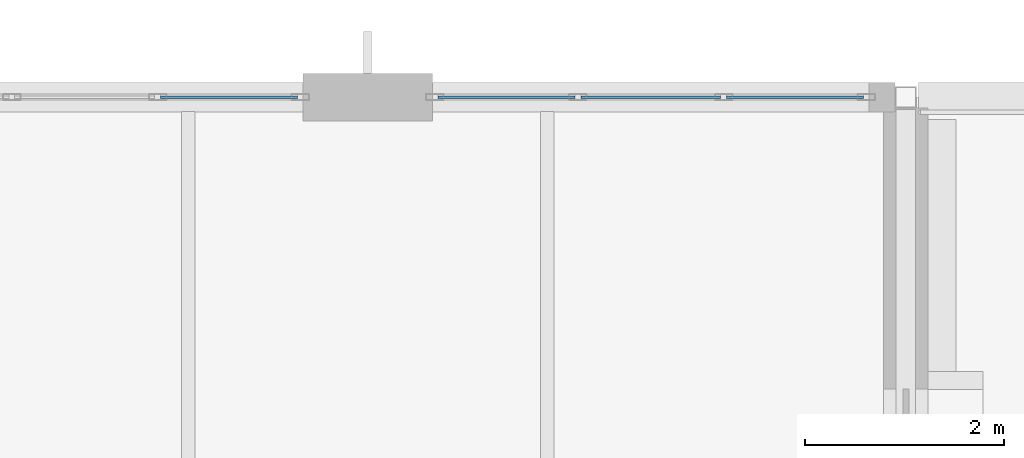
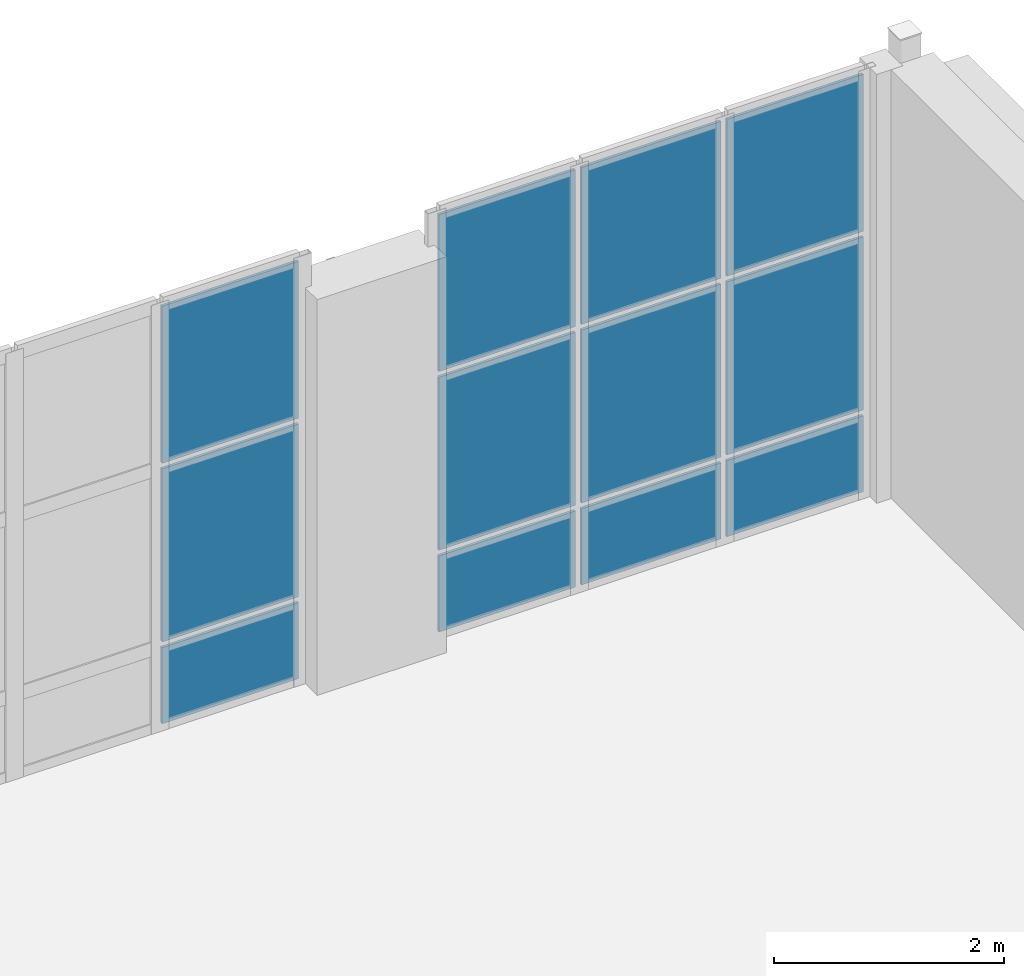
# One storey, part 65 of 86: 12 plates, 2 elements without a shape of their own.
"""IFC4 building model written with IfcOpenShell, lengths in metres."""

from ifc_helpers import new_model, si_unit, direction, frame, origin, origin_2d, place, context, subcontext, project, spatial, rectangle, extrude, material, layer, layer_set, type_object, element, aggregate, save


model = new_model("IFC4")

# Units and contexts
model_context = context("Model", 3, precision=1e-05, world=origin(), true_north=direction((0.0, 1.0)))
body_context = subcontext(model_context, "Body", "Model", "MODEL_VIEW")
ifc_project = project(units=[si_unit("LENGTHUNIT", "METRE"), si_unit("AREAUNIT", "SQUARE_METRE"), si_unit("VOLUMEUNIT", "CUBIC_METRE"), si_unit("PLANEANGLEUNIT", "RADIAN"), si_unit("MASSUNIT", "GRAM", prefix="KILO")], contexts=[model_context])

# Site, building, storey
site_placement = place(None, origin())
site = spatial("IfcSite", under=ifc_project, at=site_placement, CompositionType="ELEMENT")
building_placement = place(site_placement, origin())
building = spatial("IfcBuilding", under=site, at=building_placement, Name="Tasgan Crest Museum", CompositionType="ELEMENT")
storey_placement = place(building_placement, frame((0.0, 0.0, 24.0)))
storey = spatial("IfcBuildingStorey", under=building, at=storey_placement, Name="L04", CompositionType="ELEMENT", Elevation=24.0)

# Curtain wall, plates
ifc_material_1 = material(Name="Triple-Glazed Aluminium Curtain Wall", Category="aluminium")
ifc_layer_1 = layer(ifc_material_1, 0.179931640625, Name="CW-GAL-X-48")
ifc_layer_set_1 = layer_set([ifc_layer_1], Name="Triple-Glazed Aluminium Curtain Wall")
curtain_wall_type = type_object("IfcCurtainWallType", Name="CW-GAL-X-48", PredefinedType="NOTDEFINED", material=ifc_layer_set_1)
curtain_wall_1_placement = place(storey_placement, origin())
curtain_wall_1 = element("IfcCurtainWall", 1, at=curtain_wall_1_placement, inside=storey, type_object=curtain_wall_type, Name="Curtain wall L04 159", PredefinedType="NOTDEFINED")
ifc_material_2 = material(Name="Insulated Spandrel Glass", Category="glass")
ifc_layer_2 = layer(ifc_material_2, 0.052001953125, Name="CW-PANEL-SPANDREL")
ifc_layer_set_2 = layer_set([ifc_layer_2], Name="Insulated Spandrel Glass")
plate_type_1 = type_object("IfcPlateType", Name="CW-PANEL-SPANDREL", PredefinedType="CURTAIN_PANEL", material=ifc_layer_set_2)
plate_1_placement = place(storey_placement, frame((85.288330078125, 112.0, 0.06005859375), z_axis=(0.0, 0.0, 1.0), x_axis=(-1.0, 0.0, 0.0)))
plate_1 = element("IfcPlate", 2, at=plate_1_placement, type_object=plate_type_1, Name="CW13 panel 1.1", PredefinedType="CURTAIN_PANEL", context=body_context, shape_type="SweptSolid", body=[
    extrude(rectangle(XDim=1.373291015625, YDim=0.028076171875, at=origin_2d()), origin(), (0.0, 0.0, 1.0), 0.81005859375),
])
plate_2_placement = place(storey_placement, frame((83.840087890625, 112.0, 0.06005859375), z_axis=(0.0, 0.0, 1.0), x_axis=(-1.0, 0.0, 0.0)))
plate_2 = element("IfcPlate", 3, at=plate_2_placement, type_object=plate_type_1, Name="CW13 panel 2.1", PredefinedType="CURTAIN_PANEL", context=body_context, shape_type="SweptSolid", body=[
    extrude(rectangle(XDim=1.4033203125, YDim=0.028076171875, at=origin_2d()), origin(), (0.0, 0.0, 1.0), 0.81005859375),
])
plate_3_placement = place(storey_placement, frame((82.3916015625, 112.0, 0.06005859375), z_axis=(0.0, 0.0, 1.0), x_axis=(-1.0, 0.0, 0.0)))
plate_3 = element("IfcPlate", 4, at=plate_3_placement, type_object=plate_type_1, Name="CW13 panel 3.1", PredefinedType="CURTAIN_PANEL", context=body_context, shape_type="SweptSolid", body=[
    extrude(rectangle(XDim=1.373291015625, YDim=0.028076171875, at=origin_2d()), origin(), (0.0, 0.0, 1.0), 0.81005859375),
])

# Curtain wall, plate
curtain_wall_2_placement = place(storey_placement, origin())
curtain_wall_2 = element("IfcCurtainWall", 5, at=curtain_wall_2_placement, inside=storey, type_object=curtain_wall_type, Name="Curtain wall L04 160", PredefinedType="NOTDEFINED")
plate_4_placement = place(storey_placement, frame((79.6083984375, 112.0, 0.06005859375), z_axis=(0.0, 0.0, 1.0), x_axis=(-1.0, 0.0, 0.0)))
plate_4 = element("IfcPlate", 6, at=plate_4_placement, type_object=plate_type_1, Name="CW13 panel 1.1", PredefinedType="CURTAIN_PANEL", context=body_context, shape_type="SweptSolid", body=[
    extrude(rectangle(XDim=1.373291015625, YDim=0.028076171875, at=origin_2d()), origin(), (0.0, 0.0, 1.0), 0.81005859375),
])

# Plate
ifc_material_3 = material(Name="Low-E Triple Glazing", Category="glass")
ifc_layer_3 = layer(ifc_material_3, 0.0439453125, Name="CW-PANEL-TRIPLE")
ifc_layer_set_3 = layer_set([ifc_layer_3], Name="Low-E Triple Glazing")
plate_type_2 = type_object("IfcPlateType", Name="CW-PANEL-TRIPLE", PredefinedType="CURTAIN_PANEL", material=ifc_layer_set_3)
plate_5_placement = place(storey_placement, frame((85.288330078125, 112.0, 0.93017578125), z_axis=(0.0, 0.0, 1.0), x_axis=(-1.0, 0.0, 0.0)))
plate_5 = element("IfcPlate", 7, at=plate_5_placement, type_object=plate_type_2, Name="CW13 panel 1.2", PredefinedType="CURTAIN_PANEL", context=body_context, shape_type="SweptSolid", body=[
    extrude(rectangle(XDim=1.373291015625, YDim=0.028076171875, at=origin_2d()), origin(), (0.0, 0.0, 1.0), 1.840087890625),
])

plate_6_placement = place(storey_placement, frame((85.288330078125, 112.0, 2.830078125), z_axis=(0.0, 0.0, 1.0), x_axis=(-1.0, 0.0, 0.0)))
plate_6 = element("IfcPlate", 8, at=plate_6_placement, type_object=plate_type_2, Name="CW13 panel 1.3", PredefinedType="CURTAIN_PANEL", context=body_context, shape_type="SweptSolid", body=[
    extrude(rectangle(XDim=1.373291015625, YDim=0.028076171875, at=origin_2d()), origin(), (0.0, 0.0, 1.0), 1.669921875),
])

plate_7_placement = place(storey_placement, frame((83.840087890625, 112.0, 0.93017578125), z_axis=(0.0, 0.0, 1.0), x_axis=(-1.0, 0.0, 0.0)))
plate_7 = element("IfcPlate", 9, at=plate_7_placement, type_object=plate_type_2, Name="CW13 panel 2.2", PredefinedType="CURTAIN_PANEL", context=body_context, shape_type="SweptSolid", body=[
    extrude(rectangle(XDim=1.4033203125, YDim=0.028076171875, at=origin_2d()), origin(), (0.0, 0.0, 1.0), 1.840087890625),
])

plate_8_placement = place(storey_placement, frame((83.840087890625, 112.0, 2.830078125), z_axis=(0.0, 0.0, 1.0), x_axis=(-1.0, 0.0, 0.0)))
plate_8 = element("IfcPlate", 10, at=plate_8_placement, type_object=plate_type_2, Name="CW13 panel 2.3", PredefinedType="CURTAIN_PANEL", context=body_context, shape_type="SweptSolid", body=[
    extrude(rectangle(XDim=1.4033203125, YDim=0.028076171875, at=origin_2d()), origin(), (0.0, 0.0, 1.0), 1.669921875),
])

plate_9_placement = place(storey_placement, frame((82.3916015625, 112.0, 0.93017578125), z_axis=(0.0, 0.0, 1.0), x_axis=(-1.0, 0.0, 0.0)))
plate_9 = element("IfcPlate", 11, at=plate_9_placement, type_object=plate_type_2, Name="CW13 panel 3.2", PredefinedType="CURTAIN_PANEL", context=body_context, shape_type="SweptSolid", body=[
    extrude(rectangle(XDim=1.373291015625, YDim=0.028076171875, at=origin_2d()), origin(), (0.0, 0.0, 1.0), 1.840087890625),
])

plate_10_placement = place(storey_placement, frame((82.3916015625, 112.0, 2.830078125), z_axis=(0.0, 0.0, 1.0), x_axis=(-1.0, 0.0, 0.0)))
plate_10 = element("IfcPlate", 12, at=plate_10_placement, type_object=plate_type_2, Name="CW13 panel 3.3", PredefinedType="CURTAIN_PANEL", context=body_context, shape_type="SweptSolid", body=[
    extrude(rectangle(XDim=1.373291015625, YDim=0.028076171875, at=origin_2d()), origin(), (0.0, 0.0, 1.0), 1.669921875),
])

aggregate(curtain_wall_1, [plate_1, plate_5, plate_6, plate_2, plate_7, plate_8, plate_3, plate_9, plate_10])

plate_11_placement = place(storey_placement, frame((79.6083984375, 112.0, 0.93017578125), z_axis=(0.0, 0.0, 1.0), x_axis=(-1.0, 0.0, 0.0)))
plate_11 = element("IfcPlate", 13, at=plate_11_placement, type_object=plate_type_2, Name="CW13 panel 1.2", PredefinedType="CURTAIN_PANEL", context=body_context, shape_type="SweptSolid", body=[
    extrude(rectangle(XDim=1.373291015625, YDim=0.028076171875, at=origin_2d()), origin(), (0.0, 0.0, 1.0), 1.840087890625),
])

plate_12_placement = place(storey_placement, frame((79.6083984375, 112.0, 2.830078125), z_axis=(0.0, 0.0, 1.0), x_axis=(-1.0, 0.0, 0.0)))
plate_12 = element("IfcPlate", 14, at=plate_12_placement, type_object=plate_type_2, Name="CW13 panel 1.3", PredefinedType="CURTAIN_PANEL", context=body_context, shape_type="SweptSolid", body=[
    extrude(rectangle(XDim=1.373291015625, YDim=0.028076171875, at=origin_2d()), origin(), (0.0, 0.0, 1.0), 1.669921875),
])

aggregate(curtain_wall_2, [plate_4, plate_11, plate_12])

save(model, "model.ifc")
